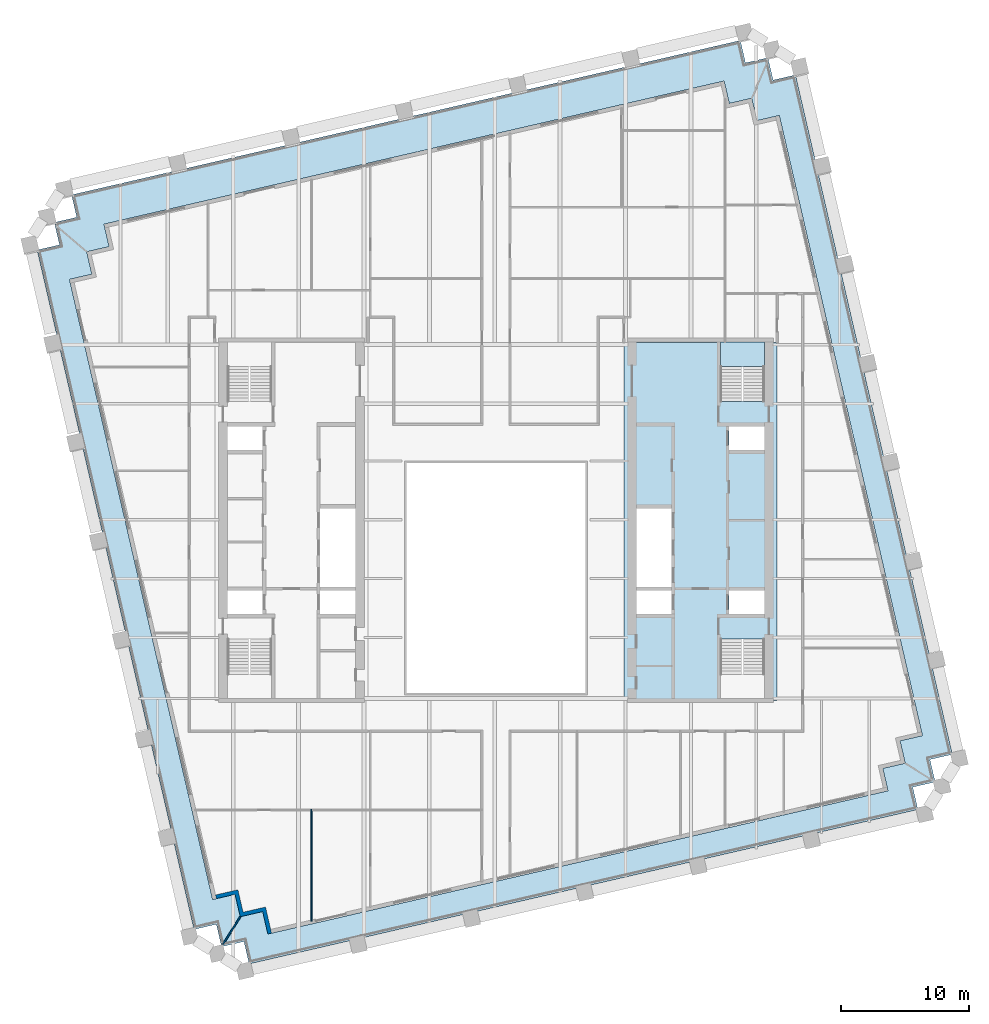
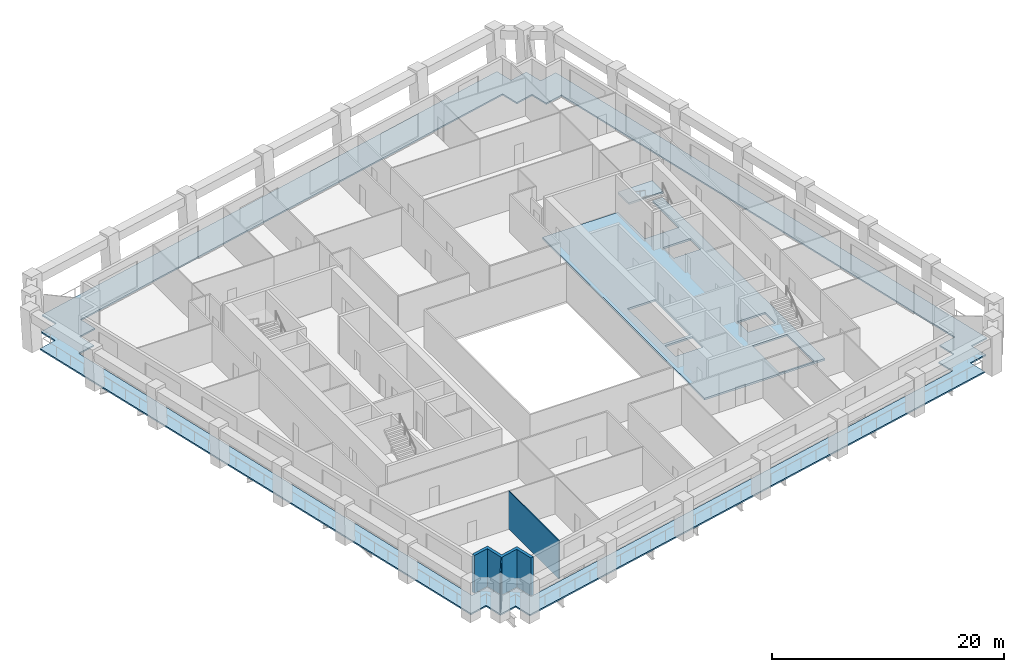
# One storey, part 3 of 11: 3 slabs, 3 walls, 1 element without a shape of its own.
"""IFC4 building model written with IfcOpenShell, lengths in metres."""

from ifc_helpers import new_model, si_unit, direction, frame, frame_2d, origin, place, context, subcontext, project, spatial, polyline, rectangle, outline, extrude, material, layer, layer_set, type_object, element, aggregate, save


model = new_model("IFC4")

# Units and contexts
model_context = context("Model", 3, precision=1e-05, world=origin(), true_north=direction((0.0, 1.0)))
body_context = subcontext(model_context, "Body", "Model", "MODEL_VIEW")
ifc_project = project(units=[si_unit("LENGTHUNIT", "METRE"), si_unit("AREAUNIT", "SQUARE_METRE"), si_unit("VOLUMEUNIT", "CUBIC_METRE"), si_unit("PLANEANGLEUNIT", "RADIAN"), si_unit("MASSUNIT", "GRAM", prefix="KILO")], contexts=[model_context])

# Site, building, storey
site_placement = place(None, origin())
site = spatial("IfcSite", under=ifc_project, at=site_placement, CompositionType="ELEMENT")
building_placement = place(site_placement, origin())
building = spatial("IfcBuilding", under=site, at=building_placement, Name="Ogive Exchange Tower", CompositionType="ELEMENT")
storey_placement = place(building_placement, frame((0.0, 0.0, 175.800048828125)))
storey = spatial("IfcBuildingStorey", under=building, at=storey_placement, Name="L38", CompositionType="ELEMENT", Elevation=175.800048828125)

# Slabs
ifc_material_1 = material(Name="Concrete C70/85", Category="concrete")
ifc_layer_1 = layer(ifc_material_1, 0.199951171875)
ifc_layer_set_1 = layer_set([ifc_layer_1], Name="Core floor slab 200")
slab_type_1 = type_object("IfcSlabType", Name="Core floor slab 200", PredefinedType="FLOOR", material=ifc_layer_set_1)
slab_1_placement = place(storey_placement, frame((0.0, 0.0, -0.199951171875)))
element("IfcSlab", 1, at=slab_1_placement, inside=storey, type_object=slab_type_1, Name="Core floor slab", PredefinedType="FLOOR", context=body_context, shape_type="SweptSolid", body=[
    extrude(outline(polyline([(22.0, 25.39990234375), (22.0, -2.60009765625), (10.0, -2.60009765625), (10.0, 25.39990234375), (17.550048828125, 25.39990234375), (17.550048828125, 20.803955078125), (21.0, 20.803955078125), (21.0, 25.39990234375), (22.0, 25.39990234375)]), holes=[polyline([(21.0, 2.196044921875), (17.550048828125, 2.196044921875), (17.550048828125, -2.449951171875), (21.0, -2.449951171875), (21.0, 2.196044921875)]), polyline([(13.75, 5.992919921875), (11.0, 5.992919921875), (11.0, 4.14990234375), (13.75, 4.14990234375), (13.75, 5.992919921875)]), polyline([(21.0, 5.992919921875), (18.25, 5.992919921875), (18.25, 4.14990234375), (21.0, 4.14990234375), (21.0, 5.992919921875)]), polyline([(11.0, 12.42138671875), (11.0, 6.29296875), (13.75, 6.29296875), (13.75, 12.42138671875), (11.0, 12.42138671875)]), polyline([(21.0, 18.85009765625), (18.25, 18.85009765625), (18.25, 17.007080078125), (21.0, 17.007080078125), (21.0, 18.85009765625)])]), origin(), (0.0, 0.0, 1.0), 0.199951171875),
])
ifc_material_2 = material(Name="Concrete C50/60", Category="concrete")
ifc_layer_2 = layer(ifc_material_2, 0.14990234375)
ifc_layer_set_2 = layer_set([ifc_layer_2], Name="Loggia deck 150")
slab_type_2 = type_object("IfcSlabType", Name="Loggia deck 150", PredefinedType="FLOOR", material=ifc_layer_set_2)
slab_2_placement = place(storey_placement, frame((0.0, 0.0, -0.199951171875)))
element("IfcSlab", 2, at=slab_2_placement, inside=storey, type_object=slab_type_2, Name="Loggia deck", PredefinedType="FLOOR", context=body_context, shape_type="SweptSolid", body=[
    extrude(outline(polyline([(-19.717041015625, -21.45556640625), (-21.470947265625, -21.860595703125), (-21.875732421875, -20.106689453125), (-23.629638671875, -20.51171875), (-35.90234375, 32.647216796875), (-34.1484375, 33.05224609375), (-34.553466796875, 34.805908203125), (-32.799560546875, 35.2109375), (-33.204345703125, 36.96484375), (19.119384765625, 49.044677734375), (19.524169921875, 47.290771484375), (21.278076171875, 47.69580078125), (21.68310546875, 45.94189453125), (23.436767578125, 46.3466796875), (35.70947265625, -6.81201171875), (33.95556640625, -7.217041015625), (34.360595703125, -8.970947265625), (32.606689453125, -9.375732421875), (33.01171875, -11.129638671875), (-19.31201171875, -23.20947265625), (-19.717041015625, -21.45556640625)]), holes=[polyline([(30.26806640625, -7.914306640625), (32.02197265625, -7.509521484375), (31.616943359375, -5.755615234375), (33.370849609375, -5.3505859375), (22.168212890625, 43.1728515625), (20.414306640625, 42.76806640625), (20.009521484375, 44.52197265625), (18.255615234375, 44.116943359375), (17.8505859375, 45.870849609375), (-30.6728515625, 34.668212890625), (-30.26806640625, 32.914306640625), (-32.02197265625, 32.509521484375), (-31.616943359375, 30.755615234375), (-33.370849609375, 30.3505859375), (-22.168212890625, -18.1728515625), (-20.414306640625, -17.76806640625), (-20.009521484375, -19.52197265625), (-18.255615234375, -19.116943359375), (-17.8505859375, -20.870849609375), (30.6728515625, -9.668212890625), (30.26806640625, -7.914306640625)])]), origin(), (0.0, 0.0, 1.0), 0.14990234375),
])

# Stair, slab
ifc_material_3 = material(Name="Concrete C40/50", Category="concrete")
stair_type = type_object("IfcStairType", Name="Exit stair 1650 wide", PredefinedType="HALF_TURN_STAIR", material=ifc_material_3)
stair_placement = place(storey_placement, origin())
stair = element("IfcStair", 3, at=stair_placement, inside=storey, type_object=stair_type, Name="L38 exit stair ST4", PredefinedType="HALF_TURN_STAIR")
ifc_layer_3 = layer(ifc_material_3, 0.199951171875)
ifc_layer_set_3 = layer_set([ifc_layer_3], Name="Stair landing 200 slab")
slab_type_3 = type_object("IfcSlabType", Name="Stair landing 200 slab", PredefinedType="LANDING", material=ifc_layer_set_3)
slab_3_placement = place(storey_placement, frame((0.0, 0.0, 1.89990234375)))
slab_3 = element("IfcSlab", 4, at=slab_3_placement, type_object=slab_type_3, Name="ST4 landing 1", PredefinedType="LANDING", context=body_context, shape_type="SweptSolid", body=[
    extrude(outline(polyline([(21.0, 23.550048828125), (21.0, 25.449951171875), (17.550048828125, 25.449951171875), (17.550048828125, 23.550048828125), (21.0, 23.550048828125)])), origin(), (0.0, 0.0, 1.0), 0.199951171875),
])
aggregate(stair, [slab_3])

# Walls
ifc_material_4 = material(Name="Precast concrete C40/50", Category="concrete")
ifc_layer_4 = layer(ifc_material_4, 0.300048828125)
ifc_layer_set_4 = layer_set([ifc_layer_4], Name="Limestone-faced wall 300")
wall_type_1 = type_object("IfcWallType", Name="Limestone-faced wall 300", PredefinedType="STANDARD", material=ifc_layer_set_4)
wall_1_placement = place(storey_placement, origin())
element("IfcWall", 5, at=wall_1_placement, inside=storey, type_object=wall_type_1, Name="External corner wall C4", PredefinedType="STANDARD", context=body_context, shape_type="SweptSolid", body=[
    extrude(outline(polyline([(-18.255615234375, -19.116943359375), (-20.009521484375, -19.52197265625), (-20.414306640625, -17.76806640625), (-21.8759765625, -18.10546875), (-21.943359375, -17.81298828125), (-20.189697265625, -17.408203125), (-19.78466796875, -19.162109375), (-18.03076171875, -18.757080078125), (-17.558349609375, -20.80322265625), (-17.8505859375, -20.870849609375), (-18.255615234375, -19.116943359375)])), origin(), (0.0, 0.0, 1.0), 4.0),
])
ifc_material_5 = material(Name="Laminated safety glass in steel frame", Category="steel")
ifc_layer_5 = layer(ifc_material_5, 0.10009765625)
ifc_layer_set_5 = layer_set([ifc_layer_5], Name="Loggia end screen 100")
wall_type_2 = type_object("IfcWallType", Name="Loggia end screen 100", PredefinedType="STANDARD", material=ifc_layer_set_5)
wall_2_placement = place(storey_placement, frame((-20.009521484375, -19.52197265625, -0.050048828125), z_axis=(0.0, 0.0, 1.0), x_axis=(-0.529920736377, -0.848047176257, 0.0)))
element("IfcWall", 6, at=wall_2_placement, inside=storey, type_object=wall_type_2, Name="Loggia end screen C4", PredefinedType="STANDARD", context=body_context, shape_type="SweptSolid", body=[
    extrude(rectangle(XDim=2.525634765625, YDim=0.10009765625, at=frame_2d((1.2626953125, 0.0))), origin(), (0.0, 0.0, 1.0), 4.050048828125),
])
ifc_material_6 = material(Name="Partition 100 gypsum")
ifc_layer_6 = layer(ifc_material_6, 0.10009765625)
ifc_layer_set_6 = layer_set([ifc_layer_6], Name="Partition 100 gypsum")
wall_type_3 = type_object("IfcWallType", Name="Partition 100 gypsum", PredefinedType="PARTITIONING", material=ifc_layer_set_6)
wall_3_placement = place(storey_placement, frame((-14.429931640625, -19.85595703125, 0.0), z_axis=(0.0, 0.0, 1.0), x_axis=(0.0, 1.0, 0.0)))
element("IfcWall", 7, at=wall_3_placement, inside=storey, type_object=wall_type_3, Name="L38-PWL-014", PredefinedType="PARTITIONING", context=body_context, shape_type="SweptSolid", body=[
    extrude(rectangle(XDim=8.73583984375, YDim=0.10009765625, at=frame_2d((4.367919921875, 0.0))), origin(), (0.0, 0.0, 1.0), 4.0),
])

save(model, "model.ifc")
